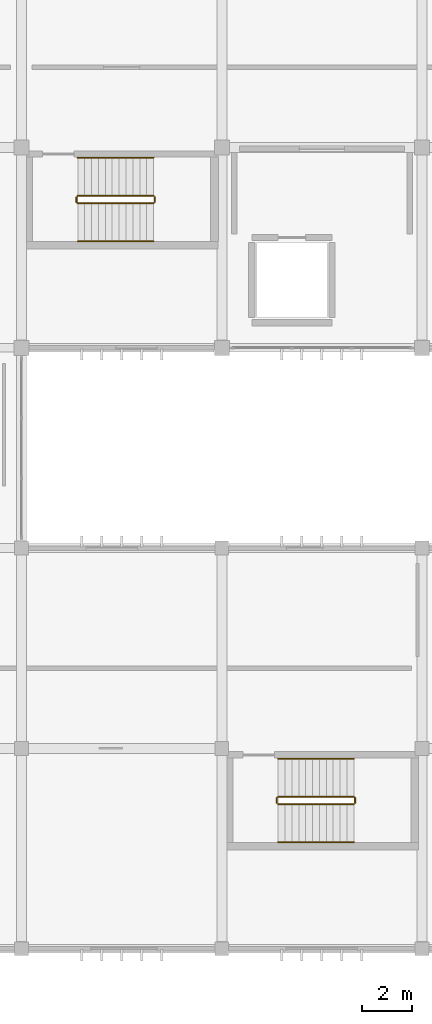
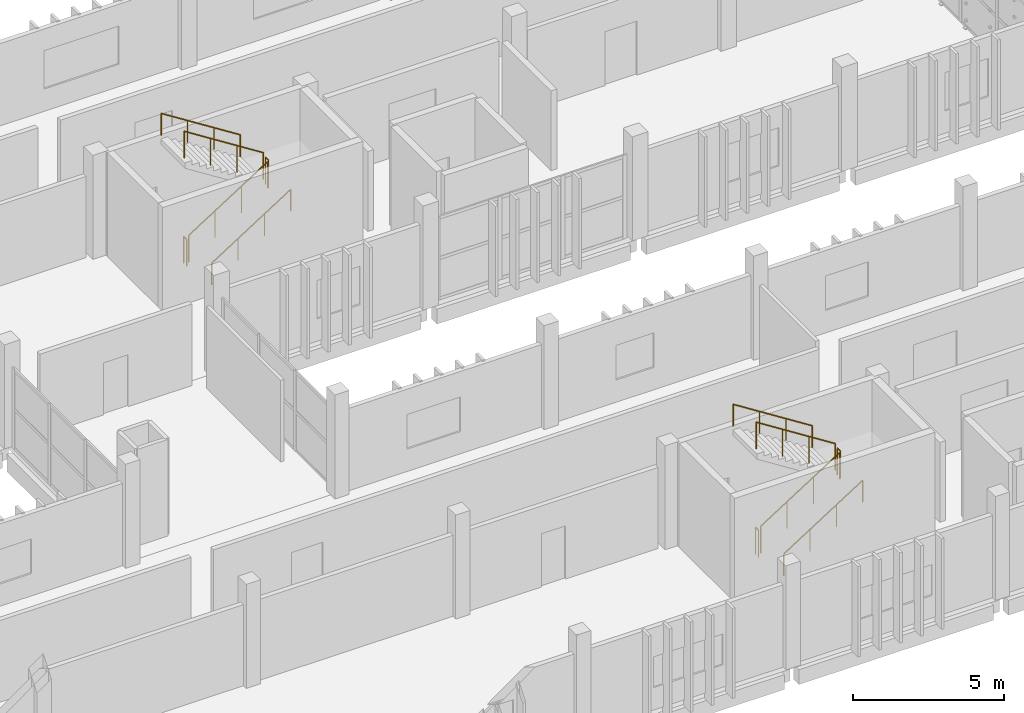
# One storey, part 80 of 83: 12 railings.
"""IFC4 building model written with IfcOpenShell, lengths in metres."""

from ifc_helpers import new_model, si_unit, direction, frame, origin, origin_2d, place, context, subcontext, project, spatial, circle, extrude, material, type_object, element, save


model = new_model("IFC4")

# Units and contexts
model_context = context("Model", 3, precision=1e-05, world=origin(), true_north=direction((0.0, 1.0)))
body_context = subcontext(model_context, "Body", "Model", "MODEL_VIEW")
ifc_project = project(units=[si_unit("LENGTHUNIT", "METRE"), si_unit("AREAUNIT", "SQUARE_METRE"), si_unit("VOLUMEUNIT", "CUBIC_METRE"), si_unit("PLANEANGLEUNIT", "RADIAN"), si_unit("MASSUNIT", "GRAM", prefix="KILO")], contexts=[model_context])

# Site, building, storey
site_placement = place(None, origin())
site = spatial("IfcSite", under=ifc_project, at=site_placement, CompositionType="ELEMENT")
building_placement = place(site_placement, origin())
building = spatial("IfcBuilding", under=site, at=building_placement, Name="Jelvoka-Kovrelna Polytechnic", CompositionType="ELEMENT")
storey_placement = place(building_placement, frame((0.0, 0.0, 13.800048828125)))
storey = spatial("IfcBuildingStorey", under=building, at=storey_placement, Name="L04", CompositionType="ELEMENT", Elevation=13.800048828125)

# Railings
ifc_material_1 = material(Name="Powder-coated steel stair guard", Category="steel")
railing_type_1 = type_object("IfcRailingType", Name="Railing_Stair_Guard_1100", PredefinedType="GUARDRAIL", material=ifc_material_1)
railing_1_placement = place(storey_placement, frame((90.25, 13.77001953125, 0.175048828125)))
element("IfcRailing", 1, at=railing_1_placement, inside=storey, type_object=railing_type_1, Name="L04 ST06 stair guard 1", PredefinedType="GUARDRAIL", context=body_context, shape_type="SweptSolid", body=[
    extrude(circle(Radius=0.02392578125, at=origin_2d()), frame((0.0, 0.0, 1.076171875), z_axis=(0.843678310415, 0.0, 0.536849055634), x_axis=(0.0, 1.0, 0.0)), (0.0, 0.0, 1.0), 3.58544921875),
    extrude(circle(Radius=0.02099609375, at=origin_2d()), origin(), (0.0, 0.0, 1.0), 1.052001953125),
    extrude(circle(Radius=0.02099609375, at=origin_2d()), frame((1.00830078125, 0.0, 0.6416015625)), (0.0, 0.0, 1.0), 1.052001953125),
    extrude(circle(Radius=0.02099609375, at=origin_2d()), frame((2.0166015625, 0.0, 1.283203125)), (0.0, 0.0, 1.0), 1.052001953125),
    extrude(circle(Radius=0.02099609375, at=origin_2d()), frame((3.02490234375, 0.0, 1.9248046875)), (0.0, 0.0, 1.0), 1.052001953125),
])
railing_2_placement = place(storey_placement, frame((93.324951171875, 13.820068359375, 2.099853515625)))
element("IfcRailing", 2, at=railing_2_placement, inside=storey, type_object=railing_type_1, Name="L04 ST06 stair guard 2", PredefinedType="GUARDRAIL", context=body_context, shape_type="SweptSolid", body=[
    extrude(circle(Radius=0.02392578125, at=origin_2d()), frame((0.0, 0.0, 1.076171875), z_axis=(0.0, 1.0, 0.0), x_axis=(-1.0, 0.0, 0.0)), (0.0, 0.0, 1.0), 0.199951171875),
    extrude(circle(Radius=0.02099609375, at=origin_2d()), origin(), (0.0, 0.0, 1.0), 1.052001953125),
    extrude(circle(Radius=0.02099609375, at=origin_2d()), frame((0.0, 0.199951171875, 0.0)), (0.0, 0.0, 1.0), 1.052001953125),
])
railing_3_placement = place(storey_placement, frame((93.27490234375, 14.070068359375, 2.27490234375)))
element("IfcRailing", 3, at=railing_3_placement, inside=storey, type_object=railing_type_1, Name="L04 ST06 stair guard 3", PredefinedType="GUARDRAIL", context=body_context, shape_type="SweptSolid", body=[
    extrude(circle(Radius=0.02392578125, at=origin_2d()), frame((0.0, 0.0, 1.076171875), z_axis=(-0.84364746871, 0.0, 0.536897521451), x_axis=(0.0, -1.0, 0.0)), (0.0, 0.0, 1.0), 3.58544921875),
    extrude(circle(Radius=0.02099609375, at=origin_2d()), origin(), (0.0, 0.0, 1.0), 1.052001953125),
    extrude(circle(Radius=0.02099609375, at=origin_2d()), frame((-1.00830078125, 0.0, 0.6416015625)), (0.0, 0.0, 1.0), 1.052001953125),
    extrude(circle(Radius=0.02099609375, at=origin_2d()), frame((-2.0166015625, 0.0, 1.283447265625)), (0.0, 0.0, 1.0), 1.052001953125),
    extrude(circle(Radius=0.02099609375, at=origin_2d()), frame((-3.02490234375, 0.0, 1.925048828125)), (0.0, 0.0, 1.0), 1.052001953125),
])
railing_4_placement = place(storey_placement, frame((90.199951171875, 13.820068359375, 0.0)))
element("IfcRailing", 4, at=railing_4_placement, inside=storey, type_object=railing_type_1, Name="L04 ST06 stair guard 4", PredefinedType="GUARDRAIL", context=body_context, shape_type="SweptSolid", body=[
    extrude(circle(Radius=0.02392578125, at=origin_2d()), frame((0.0, 0.0, 1.076171875), z_axis=(0.0, 1.0, 0.0), x_axis=(-1.0, 0.0, 0.0)), (0.0, 0.0, 1.0), 0.199951171875),
    extrude(circle(Radius=0.02099609375, at=origin_2d()), origin(), (0.0, 0.0, 1.0), 1.052001953125),
    extrude(circle(Radius=0.02099609375, at=origin_2d()), frame((0.0, 0.199951171875, 0.0)), (0.0, 0.0, 1.0), 1.052001953125),
])
railing_5_placement = place(storey_placement, frame((82.25, 37.77001953125, 0.175048828125)))
element("IfcRailing", 5, at=railing_5_placement, inside=storey, type_object=railing_type_1, Name="L04 ST07 stair guard 1", PredefinedType="GUARDRAIL", context=body_context, shape_type="SweptSolid", body=[
    extrude(circle(Radius=0.02392578125, at=origin_2d()), frame((0.0, 0.0, 1.076171875), z_axis=(0.843678310415, 0.0, 0.536849055634), x_axis=(0.0, 1.0, 0.0)), (0.0, 0.0, 1.0), 3.58544921875),
    extrude(circle(Radius=0.02099609375, at=origin_2d()), origin(), (0.0, 0.0, 1.0), 1.052001953125),
    extrude(circle(Radius=0.02099609375, at=origin_2d()), frame((1.00830078125, 0.0, 0.6416015625)), (0.0, 0.0, 1.0), 1.052001953125),
    extrude(circle(Radius=0.02099609375, at=origin_2d()), frame((2.0166015625, 0.0, 1.283203125)), (0.0, 0.0, 1.0), 1.052001953125),
    extrude(circle(Radius=0.02099609375, at=origin_2d()), frame((3.02490234375, 0.0, 1.9248046875)), (0.0, 0.0, 1.0), 1.052001953125),
])
railing_6_placement = place(storey_placement, frame((85.324951171875, 37.820068359375, 2.099853515625)))
element("IfcRailing", 6, at=railing_6_placement, inside=storey, type_object=railing_type_1, Name="L04 ST07 stair guard 2", PredefinedType="GUARDRAIL", context=body_context, shape_type="SweptSolid", body=[
    extrude(circle(Radius=0.02392578125, at=origin_2d()), frame((0.0, 0.0, 1.076171875), z_axis=(0.0, 1.0, 0.0), x_axis=(-1.0, 0.0, 0.0)), (0.0, 0.0, 1.0), 0.199951171875),
    extrude(circle(Radius=0.02099609375, at=origin_2d()), origin(), (0.0, 0.0, 1.0), 1.052001953125),
    extrude(circle(Radius=0.02099609375, at=origin_2d()), frame((0.0, 0.199951171875, 0.0)), (0.0, 0.0, 1.0), 1.052001953125),
])
railing_7_placement = place(storey_placement, frame((85.27490234375, 38.070068359375, 2.27490234375)))
element("IfcRailing", 7, at=railing_7_placement, inside=storey, type_object=railing_type_1, Name="L04 ST07 stair guard 3", PredefinedType="GUARDRAIL", context=body_context, shape_type="SweptSolid", body=[
    extrude(circle(Radius=0.02392578125, at=origin_2d()), frame((0.0, 0.0, 1.076171875), z_axis=(-0.84364746871, 0.0, 0.536897521451), x_axis=(0.0, -1.0, 0.0)), (0.0, 0.0, 1.0), 3.58544921875),
    extrude(circle(Radius=0.02099609375, at=origin_2d()), origin(), (0.0, 0.0, 1.0), 1.052001953125),
    extrude(circle(Radius=0.02099609375, at=origin_2d()), frame((-1.00830078125, 0.0, 0.6416015625)), (0.0, 0.0, 1.0), 1.052001953125),
    extrude(circle(Radius=0.02099609375, at=origin_2d()), frame((-2.0166015625, 0.0, 1.283447265625)), (0.0, 0.0, 1.0), 1.052001953125),
    extrude(circle(Radius=0.02099609375, at=origin_2d()), frame((-3.02490234375, 0.0, 1.925048828125)), (0.0, 0.0, 1.0), 1.052001953125),
])
railing_8_placement = place(storey_placement, frame((82.199951171875, 37.820068359375, 0.0)))
element("IfcRailing", 8, at=railing_8_placement, inside=storey, type_object=railing_type_1, Name="L04 ST07 stair guard 4", PredefinedType="GUARDRAIL", context=body_context, shape_type="SweptSolid", body=[
    extrude(circle(Radius=0.02392578125, at=origin_2d()), frame((0.0, 0.0, 1.076171875), z_axis=(0.0, 1.0, 0.0), x_axis=(-1.0, 0.0, 0.0)), (0.0, 0.0, 1.0), 0.199951171875),
    extrude(circle(Radius=0.02099609375, at=origin_2d()), origin(), (0.0, 0.0, 1.0), 1.052001953125),
    extrude(circle(Radius=0.02099609375, at=origin_2d()), frame((0.0, 0.199951171875, 0.0)), (0.0, 0.0, 1.0), 1.052001953125),
])
ifc_material_2 = material(Name="Brushed stainless steel handrail", Category="steel")
railing_type_2 = type_object("IfcRailingType", Name="Railing_Stair_Handrail_900", PredefinedType="HANDRAIL", material=ifc_material_2)
railing_9_placement = place(storey_placement, frame((90.25, 12.25, 0.175048828125)))
element("IfcRailing", 9, at=railing_9_placement, inside=storey, type_object=railing_type_2, Name="L04 ST06 stair handrail 1", PredefinedType="HANDRAIL", context=body_context, shape_type="SweptSolid", body=[
    extrude(circle(Radius=0.02392578125, at=origin_2d()), frame((0.0, 0.0, 0.8759765625), z_axis=(0.843678310415, 0.0, 0.536849055634), x_axis=(0.0, 1.0, 0.0)), (0.0, 0.0, 1.0), 3.58544921875),
    extrude(circle(Radius=0.02099609375, at=origin_2d()), origin(), (0.0, 0.0, 1.0), 0.851806640625),
    extrude(circle(Radius=0.02099609375, at=origin_2d()), frame((1.00830078125, 0.0, 0.6416015625)), (0.0, 0.0, 1.0), 0.851806640625),
    extrude(circle(Radius=0.02099609375, at=origin_2d()), frame((2.0166015625, 0.0, 1.283203125)), (0.0, 0.0, 1.0), 0.851806640625),
    extrude(circle(Radius=0.02099609375, at=origin_2d()), frame((3.02490234375, 0.0, 1.9248046875)), (0.0, 0.0, 1.0), 0.851806640625),
])
railing_10_placement = place(storey_placement, frame((93.27490234375, 15.590087890625, 2.27490234375)))
element("IfcRailing", 10, at=railing_10_placement, inside=storey, type_object=railing_type_2, Name="L04 ST06 stair handrail 2", PredefinedType="HANDRAIL", context=body_context, shape_type="SweptSolid", body=[
    extrude(circle(Radius=0.02392578125, at=origin_2d()), frame((0.0, 0.0, 0.8759765625), z_axis=(-0.84364746871, 0.0, 0.536897521451), x_axis=(0.0, -1.0, 0.0)), (0.0, 0.0, 1.0), 3.58544921875),
    extrude(circle(Radius=0.02099609375, at=origin_2d()), origin(), (0.0, 0.0, 1.0), 0.851806640625),
    extrude(circle(Radius=0.02099609375, at=origin_2d()), frame((-1.00830078125, 0.0, 0.6416015625)), (0.0, 0.0, 1.0), 0.851806640625),
    extrude(circle(Radius=0.02099609375, at=origin_2d()), frame((-2.0166015625, 0.0, 1.283447265625)), (0.0, 0.0, 1.0), 0.851806640625),
    extrude(circle(Radius=0.02099609375, at=origin_2d()), frame((-3.02490234375, 0.0, 1.925048828125)), (0.0, 0.0, 1.0), 0.851806640625),
])
railing_11_placement = place(storey_placement, frame((82.25, 36.25, 0.175048828125)))
element("IfcRailing", 11, at=railing_11_placement, inside=storey, type_object=railing_type_2, Name="L04 ST07 stair handrail 1", PredefinedType="HANDRAIL", context=body_context, shape_type="SweptSolid", body=[
    extrude(circle(Radius=0.02392578125, at=origin_2d()), frame((0.0, 0.0, 0.8759765625), z_axis=(0.843678310415, 0.0, 0.536849055634), x_axis=(0.0, 1.0, 0.0)), (0.0, 0.0, 1.0), 3.58544921875),
    extrude(circle(Radius=0.02099609375, at=origin_2d()), origin(), (0.0, 0.0, 1.0), 0.851806640625),
    extrude(circle(Radius=0.02099609375, at=origin_2d()), frame((1.00830078125, 0.0, 0.6416015625)), (0.0, 0.0, 1.0), 0.851806640625),
    extrude(circle(Radius=0.02099609375, at=origin_2d()), frame((2.0166015625, 0.0, 1.283203125)), (0.0, 0.0, 1.0), 0.851806640625),
    extrude(circle(Radius=0.02099609375, at=origin_2d()), frame((3.02490234375, 0.0, 1.9248046875)), (0.0, 0.0, 1.0), 0.851806640625),
])
railing_12_placement = place(storey_placement, frame((85.27490234375, 39.590087890625, 2.27490234375)))
element("IfcRailing", 12, at=railing_12_placement, inside=storey, type_object=railing_type_2, Name="L04 ST07 stair handrail 2", PredefinedType="HANDRAIL", context=body_context, shape_type="SweptSolid", body=[
    extrude(circle(Radius=0.02392578125, at=origin_2d()), frame((0.0, 0.0, 0.8759765625), z_axis=(-0.84364746871, 0.0, 0.536897521451), x_axis=(0.0, -1.0, 0.0)), (0.0, 0.0, 1.0), 3.58544921875),
    extrude(circle(Radius=0.02099609375, at=origin_2d()), origin(), (0.0, 0.0, 1.0), 0.851806640625),
    extrude(circle(Radius=0.02099609375, at=origin_2d()), frame((-1.00830078125, 0.0, 0.6416015625)), (0.0, 0.0, 1.0), 0.851806640625),
    extrude(circle(Radius=0.02099609375, at=origin_2d()), frame((-2.0166015625, 0.0, 1.283447265625)), (0.0, 0.0, 1.0), 0.851806640625),
    extrude(circle(Radius=0.02099609375, at=origin_2d()), frame((-3.02490234375, 0.0, 1.925048828125)), (0.0, 0.0, 1.0), 0.851806640625),
])

save(model, "model.ifc")
